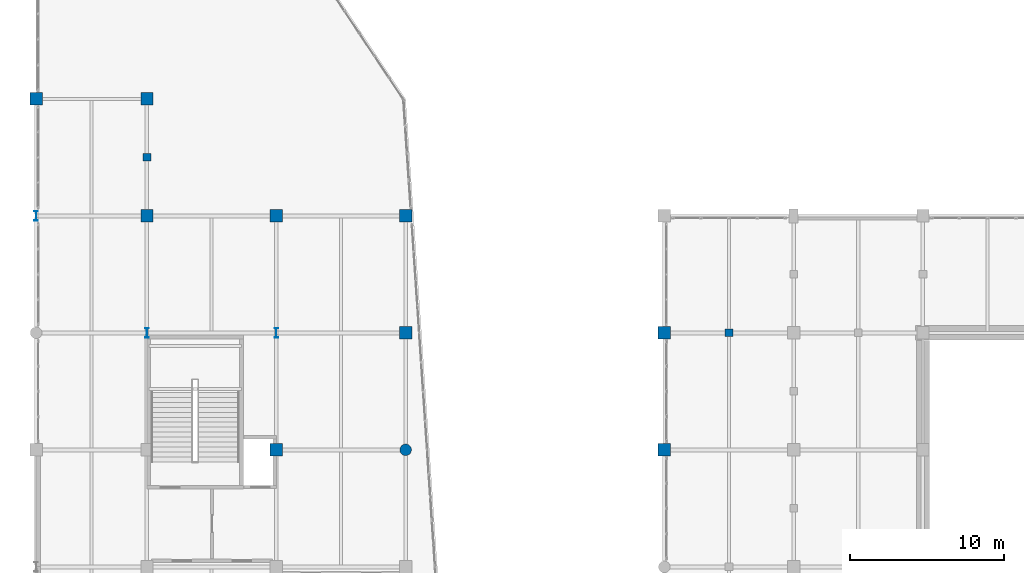
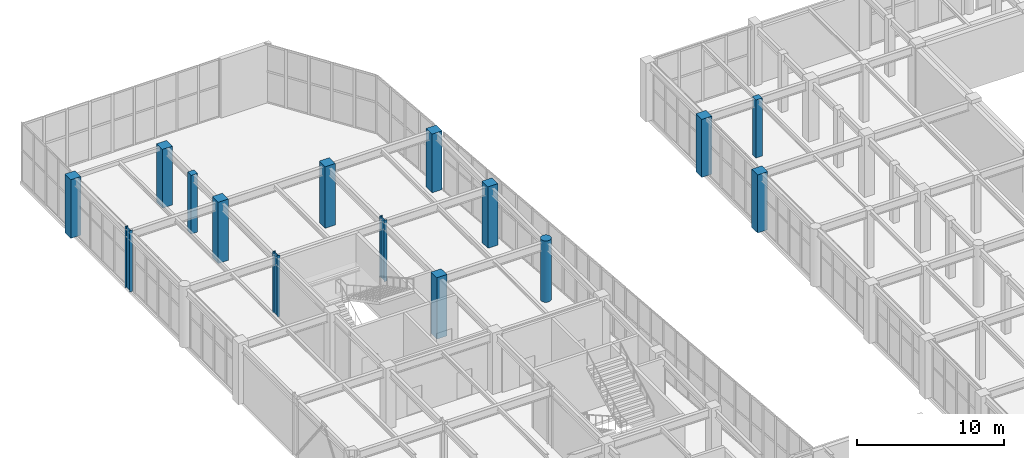
# One storey, part 5 of 128: 15 columns.
"""IFC4 building model written with IfcOpenShell, lengths in metres."""

from ifc_helpers import new_model, si_unit, direction, frame, origin, origin_2d, place, context, subcontext, project, spatial, rectangle, circle, i_section, extrude, material, material_profile, profile_set, type_object, element, save


model = new_model("IFC4")

# Units and contexts
model_context = context("Model", 3, precision=1e-05, world=origin(), true_north=direction((0.0, 1.0)))
body_context = subcontext(model_context, "Body", "Model", "MODEL_VIEW")
ifc_project = project(units=[si_unit("LENGTHUNIT", "METRE"), si_unit("AREAUNIT", "SQUARE_METRE"), si_unit("VOLUMEUNIT", "CUBIC_METRE"), si_unit("PLANEANGLEUNIT", "RADIAN"), si_unit("MASSUNIT", "GRAM", prefix="KILO")], contexts=[model_context])

# Site, building, storey
site_placement = place(None, origin())
site = spatial("IfcSite", under=ifc_project, at=site_placement, CompositionType="ELEMENT")
building_placement = place(site_placement, origin())
building = spatial("IfcBuilding", under=site, at=building_placement, Name="Xicomal Pleat Aquarium", CompositionType="ELEMENT")
storey_placement = place(building_placement, frame((0.0, 0.0, 5.39990234375)))
storey = spatial("IfcBuildingStorey", under=building, at=storey_placement, Name="L02", CompositionType="ELEMENT", Elevation=5.39990234375)

# Columns
ifc_material_1 = material(Name="Concrete C35/45", Category="concrete")
ifc_material_profile_1 = material_profile(ifc_material_1, rectangle(XDim=0.5, YDim=0.5, at=origin_2d()), Name="RC 500x500")
ifc_profile_set_1 = profile_set([ifc_material_profile_1], Name="Concrete C35/45")
column_type_1 = type_object("IfcColumnType", Name="COL-RC-500x500", PredefinedType="COLUMN", material=ifc_profile_set_1)
column_1_placement = place(storey_placement, frame((48.0, 76.0, 0.0), z_axis=(0.0, 0.0, 1.0), x_axis=(1.0, 0.0, 0.0)))
element("IfcColumn", 1, at=column_1_placement, inside=storey, type_object=column_type_1, Name="L02 intermediate support column SUB-05", PredefinedType="COLUMN", context=body_context, shape_type="SweptSolid", body=[
    extrude(rectangle(XDim=0.5, YDim=0.5, at=origin_2d()), origin(), (0.0, 0.0, 1.0), 4.820068359375),
])
column_2_placement = place(storey_placement, frame((10.199951171875, 87.39990234375, 0.0), z_axis=(0.0, 0.0, 1.0), x_axis=(1.0, 0.0, 0.0)))
element("IfcColumn", 2, at=column_2_placement, inside=storey, type_object=column_type_1, Name="L02 intermediate support column SUB-33", PredefinedType="COLUMN", context=body_context, shape_type="SweptSolid", body=[
    extrude(rectangle(XDim=0.5, YDim=0.5, at=origin_2d()), origin(), (0.0, 0.0, 1.0), 4.875),
])
ifc_material_2 = material(Name="Concrete C40/50", Category="concrete")
ifc_material_profile_2 = material_profile(ifc_material_2, rectangle(XDim=0.800048828125, YDim=0.800048828125, at=origin_2d()), Name="RC 800x800")
ifc_profile_set_2 = profile_set([ifc_material_profile_2], Name="Concrete C40/50")
column_type_2 = type_object("IfcColumnType", Name="COL-RC-800x800", PredefinedType="COLUMN", material=ifc_profile_set_2)
column_3_placement = place(storey_placement, frame((3.0, 91.199951171875, 0.0), z_axis=(0.0, 0.0, 1.0), x_axis=(1.0, 0.0, 0.0)))
element("IfcColumn", 3, at=column_3_placement, inside=storey, type_object=column_type_2, Name="L02 column 01/N", PredefinedType="COLUMN", context=body_context, shape_type="SweptSolid", body=[
    extrude(rectangle(XDim=0.800048828125, YDim=0.800048828125, at=origin_2d()), origin(), (0.0, 0.0, 1.0), 4.875),
])
column_4_placement = place(storey_placement, frame((10.199951171875, 83.60009765625, 0.0), z_axis=(0.0, 0.0, 1.0), x_axis=(1.0, 0.0, 0.0)))
element("IfcColumn", 4, at=column_4_placement, inside=storey, type_object=column_type_2, Name="L02 column 02/M", PredefinedType="COLUMN", context=body_context, shape_type="SweptSolid", body=[
    extrude(rectangle(XDim=0.800048828125, YDim=0.800048828125, at=origin_2d()), origin(), (0.0, 0.0, 1.0), 5.10009765625),
])
column_5_placement = place(storey_placement, frame((10.199951171875, 91.199951171875, 0.0), z_axis=(0.0, 0.0, 1.0), x_axis=(1.0, 0.0, 0.0)))
element("IfcColumn", 5, at=column_5_placement, inside=storey, type_object=column_type_2, Name="L02 column 02/N", PredefinedType="COLUMN", context=body_context, shape_type="SweptSolid", body=[
    extrude(rectangle(XDim=0.800048828125, YDim=0.800048828125, at=origin_2d()), origin(), (0.0, 0.0, 1.0), 4.875),
])
for number, where, z_axis, x_axis, name in (
    (6, (18.60009765625, 68.39990234375, 0.0), (0.0, 0.0, 1.0), (1.0, 0.0, 0.0), "L02 column 03/K"),
    (7, (18.60009765625, 83.60009765625, 0.0), (0.0, 0.0, 1.0), (1.0, 0.0, 0.0), "L02 column 03/M"),
    (8, (27.0, 76.0, 0.0), (0.0, 0.0, 1.0), (1.0, 0.0, 0.0), "L02 column 04/L"),
):
    element("IfcColumn", number, at=place(storey_placement, frame(where, z_axis=z_axis, x_axis=x_axis)), inside=storey, type_object=column_type_2, Name=name, PredefinedType="COLUMN", context=body_context, shape_type="SweptSolid", body=[
        extrude(rectangle(XDim=0.800048828125, YDim=0.800048828125, at=origin_2d()), origin(), (0.0, 0.0, 1.0), 5.10009765625),
    ])
column_6_placement = place(storey_placement, frame((27.0, 83.60009765625, 0.0), z_axis=(0.0, 0.0, 1.0), x_axis=(1.0, 0.0, 0.0)))
element("IfcColumn", 9, at=column_6_placement, inside=storey, type_object=column_type_2, Name="L02 column 04/M", PredefinedType="COLUMN", context=body_context, shape_type="SweptSolid", body=[
    extrude(rectangle(XDim=0.800048828125, YDim=0.800048828125, at=origin_2d()), origin(), (0.0, 0.0, 1.0), 4.875),
])
for number, where, z_axis, x_axis, name in (
    (10, (43.800048828125, 68.39990234375, 0.0), (0.0, 0.0, 1.0), (1.0, 0.0, 0.0), "L02 column 06/K"),
    (11, (43.800048828125, 76.0, 0.0), (0.0, 0.0, 1.0), (1.0, 0.0, 0.0), "L02 column 06/L"),
):
    element("IfcColumn", number, at=place(storey_placement, frame(where, z_axis=z_axis, x_axis=x_axis)), inside=storey, type_object=column_type_2, Name=name, PredefinedType="COLUMN", context=body_context, shape_type="SweptSolid", body=[
        extrude(rectangle(XDim=0.800048828125, YDim=0.800048828125, at=origin_2d()), origin(), (0.0, 0.0, 1.0), 4.820068359375),
    ])
ifc_material_3 = material(Name="Concrete C40/50", Category="concrete")
ifc_material_profile_3 = material_profile(ifc_material_3, circle(Radius=0.375, at=origin_2d()), Name="RCC D750")
ifc_profile_set_3 = profile_set([ifc_material_profile_3], Name="Concrete C40/50")
column_type_3 = type_object("IfcColumnType", Name="COL-RCC-D750", PredefinedType="COLUMN", material=ifc_profile_set_3)
column_7_placement = place(storey_placement, frame((27.0, 68.39990234375, 0.0), z_axis=(0.0, 0.0, 1.0), x_axis=(1.0, 0.0, 0.0)))
element("IfcColumn", 12, at=column_7_placement, inside=storey, type_object=column_type_3, Name="L02 column 04/K", PredefinedType="COLUMN", context=body_context, shape_type="SweptSolid", body=[
    extrude(circle(Radius=0.375, at=origin_2d()), origin(), (0.0, 0.0, 1.0), 5.10009765625),
])
ifc_material_4 = material(Name="Structural steel A992 Gr 50", Category="steel")
ifc_material_profile_4 = material_profile(ifc_material_4, i_section(OverallWidth=0.22998046875, OverallDepth=0.616943359375, WebThickness=0.01318359375, FlangeThickness=0.022216796875, at=origin_2d()), Name="IR 610x140")
ifc_profile_set_4 = profile_set([ifc_material_profile_4], Name="Structural steel A992 Gr 50")
column_type_4 = type_object("IfcColumnType", Name="COL-STL-IR610", PredefinedType="COLUMN", material=ifc_profile_set_4)
for number, where, z_axis, x_axis, name in (
    (13, (3.0, 83.60009765625, 0.0), (0.0, 0.0, 1.0), (1.0, 0.0, 0.0), "L02 column 01/M"),
    (14, (10.199951171875, 76.0, 0.0), (0.0, 0.0, 1.0), (1.0, 0.0, 0.0), "L02 column 02/L"),
    (15, (18.60009765625, 76.0, 0.0), (0.0, 0.0, 1.0), (1.0, 0.0, 0.0), "L02 column 03/L"),
):
    element("IfcColumn", number, at=place(storey_placement, frame(where, z_axis=z_axis, x_axis=x_axis)), inside=storey, type_object=column_type_4, Name=name, PredefinedType="COLUMN", context=body_context, shape_type="SweptSolid", body=[
        extrude(i_section(OverallWidth=0.22998046875, OverallDepth=0.616943359375, WebThickness=0.01318359375, FlangeThickness=0.022216796875, at=origin_2d()), origin(), (0.0, 0.0, 1.0), 5.10009765625),
    ])

save(model, "model.ifc")
